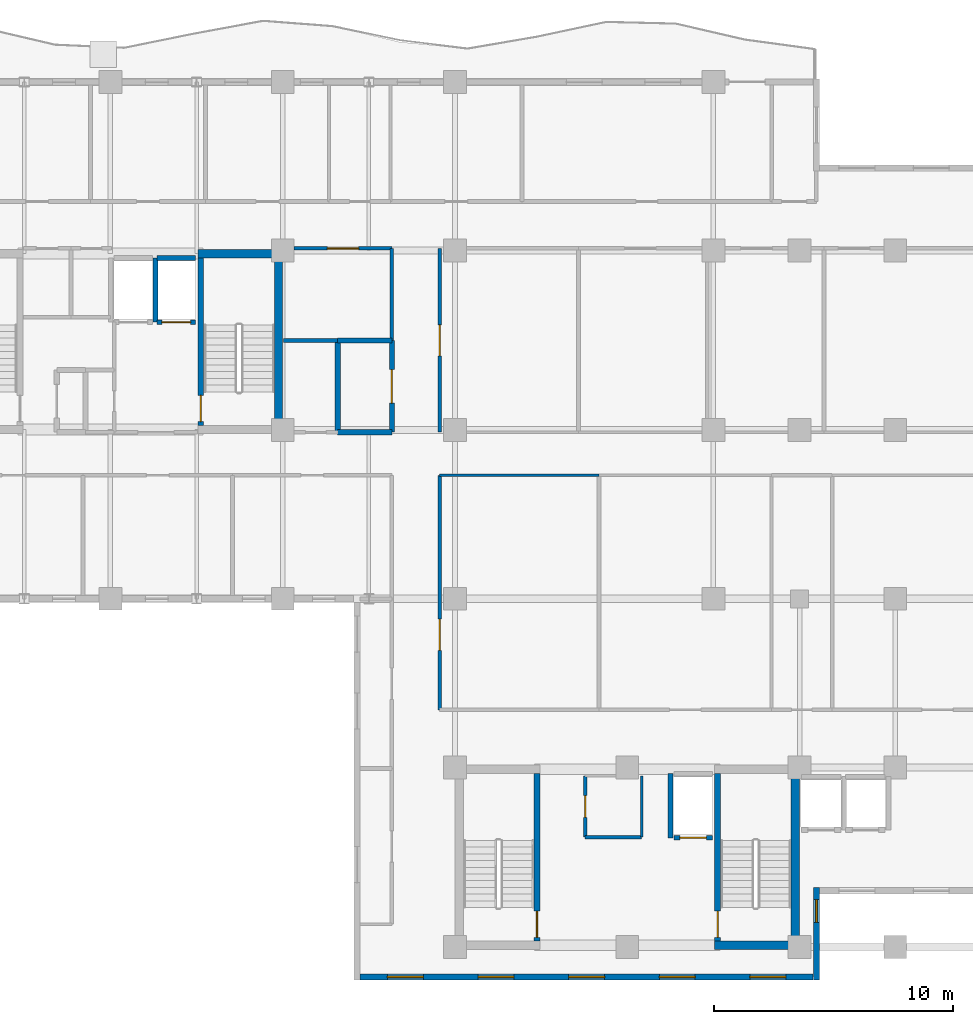
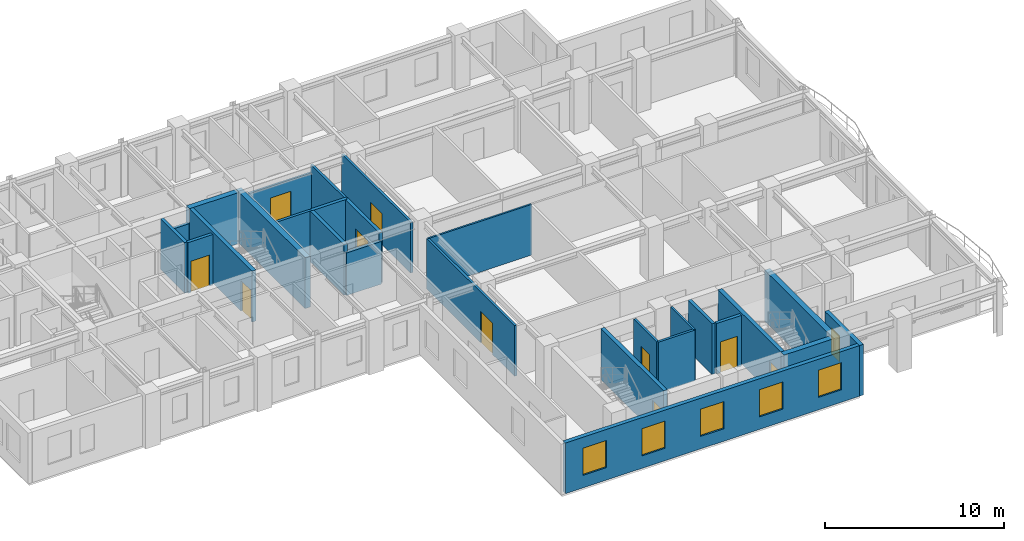
# One storey, part 7 of 13: 27 walls, 10 doors, 6 windows, 16 openings.
"""IFC4 building model written with IfcOpenShell, lengths in metres."""

from ifc_helpers import new_model, si_unit, direction, frame, frame_2d, origin, place, context, subcontext, project, spatial, rectangle, extrude, material, layer, layer_set, type_object, element, fill, save


model = new_model("IFC4")

# Units and contexts
model_context = context("Model", 3, precision=1e-05, world=origin(), true_north=direction((0.0, 1.0)))
body_context = subcontext(model_context, "Body", "Model", "MODEL_VIEW")
ifc_project = project(units=[si_unit("LENGTHUNIT", "METRE"), si_unit("AREAUNIT", "SQUARE_METRE"), si_unit("VOLUMEUNIT", "CUBIC_METRE"), si_unit("PLANEANGLEUNIT", "RADIAN"), si_unit("MASSUNIT", "GRAM", prefix="KILO")], contexts=[model_context])

# Site, building, storey
site_placement = place(None, origin())
site = spatial("IfcSite", under=ifc_project, at=site_placement, CompositionType="ELEMENT")
building_placement = place(site_placement, origin())
building = spatial("IfcBuilding", under=site, at=building_placement, Name="Kaliganga Portal Commons", CompositionType="ELEMENT")
storey_placement = place(building_placement, frame((0.0, 0.0, 224.0)))
storey = spatial("IfcBuildingStorey", under=building, at=storey_placement, Name="L57", CompositionType="ELEMENT", Elevation=224.0)

# Walls
ifc_material_1 = material(Name="Concrete C50/60", Category="concrete")
ifc_layer_1 = layer(ifc_material_1, 0.35009765625)
ifc_layer_set_1 = layer_set([ifc_layer_1], Name="Concrete C50/60")
wall_type_1 = type_object("IfcWallType", Name="WL-CORE-350", PredefinedType="SHEAR", material=ifc_layer_set_1)
wall_1_placement = place(storey_placement, frame((28.625, 28.5, 0.0), z_axis=(0.0, 0.0, 1.0), x_axis=(0.0, 1.0, 0.0)))
element("IfcWall", 1, at=wall_1_placement, inside=storey, type_object=wall_type_1, Name="Core A East Shear Wall L57", PredefinedType="SHEAR", context=body_context, shape_type="SweptSolid", body=[
    extrude(rectangle(XDim=7.699951171875, YDim=0.35009765625, at=frame_2d((3.85009765625, 0.0))), origin(), (0.0, 0.0, 1.0), 3.469970703125),
])
wall_2_placement = place(storey_placement, frame((25.25, 36.02490234375, 0.0), z_axis=(0.0, 0.0, 1.0), x_axis=(1.0, 0.0, 0.0)))
element("IfcWall", 2, at=wall_2_placement, inside=storey, type_object=wall_type_1, Name="Core A N-East Shear Wall L57", PredefinedType="SHEAR", context=body_context, shape_type="SweptSolid", body=[
    extrude(rectangle(XDim=3.199951171875, YDim=0.35009765625, at=frame_2d((1.60009765625, 0.0))), origin(), (0.0, 0.0, 1.0), 3.469970703125),
])
wall_3_placement = place(storey_placement, frame((50.22509765625, 6.949951171875, 0.0), z_axis=(0.0, 0.0, 1.0), x_axis=(0.0, 1.0, 0.0)))
element("IfcWall", 3, at=wall_3_placement, inside=storey, type_object=wall_type_1, Name="Core B East Shear Wall L57", PredefinedType="SHEAR", context=body_context, shape_type="SweptSolid", body=[
    extrude(rectangle(XDim=7.699951171875, YDim=0.35009765625, at=frame_2d((3.85009765625, 0.0))), origin(), (0.0, 0.0, 1.0), 3.469970703125),
])
wall_4_placement = place(storey_placement, frame((46.85009765625, 7.125, 0.0), z_axis=(0.0, 0.0, 1.0), x_axis=(1.0, 0.0, 0.0)))
element("IfcWall", 4, at=wall_4_placement, inside=storey, type_object=wall_type_1, Name="Core B S-East Shear Wall L57", PredefinedType="SHEAR", context=body_context, shape_type="SweptSolid", body=[
    extrude(rectangle(XDim=3.199951171875, YDim=0.35009765625, at=frame_2d((1.60009765625, 0.0))), origin(), (0.0, 0.0, 1.0), 3.469970703125),
])

# Wall, openings, windows
ifc_material_2 = material(Name="Insulated Aluminium-Clad Spandrel Assembly", Category="aluminium")
ifc_layer_2 = layer(ifc_material_2, 0.260009765625)
ifc_layer_set_2 = layer_set([ifc_layer_2], Name="Insulated Aluminium-Clad Spandrel Assembly")
wall_type_2 = type_object("IfcWallType", Name="WL-EXT-SPAND-260", PredefinedType="STANDARD", material=ifc_layer_set_2)
wall_5_placement = place(storey_placement, frame((50.965087890625, 5.800048828125, 0.0), z_axis=(0.0, 0.0, 1.0), x_axis=(-1.0, 0.0, 0.0)))
wall_5 = element("IfcWall", 5, at=wall_5_placement, inside=storey, type_object=wall_type_2, Name="Exterior Envelope Wall L57 P1-E00-S1", PredefinedType="STANDARD", context=body_context, shape_type="SweptSolid", body=[
    extrude(rectangle(XDim=18.93017578125, YDim=0.260009765625, at=frame_2d((9.465087890625, 0.0))), origin(), (0.0, 0.0, 1.0), 3.449951171875),
])
opening_1_placement = place(wall_5_placement, frame((1.14306640625, 0.0, 0.85009765625)))
opening_1 = element("IfcOpeningElement", 6, at=opening_1_placement, cuts=wall_5, Name="Opening W-02", PredefinedType="OPENING", context=body_context, shape_type="SweptSolid", body=[
    extrude(rectangle(XDim=1.5, YDim=1.85009765625, at=frame_2d((0.75, 0.925048828125))), frame((0.0, 0.14013671875, 0.0), z_axis=(0.0, -1.0, 0.0), x_axis=(1.0, 0.0, 0.0)), (0.0, 0.0, 1.0), 0.280029296875),
])
opening_2_placement = place(wall_5_placement, frame((4.928955078125, 0.0, 0.85009765625)))
opening_2 = element("IfcOpeningElement", 7, at=opening_2_placement, cuts=wall_5, Name="Opening W-02", PredefinedType="OPENING", context=body_context, shape_type="SweptSolid", body=[
    extrude(rectangle(XDim=1.5, YDim=1.85009765625, at=frame_2d((0.75, 0.925048828125))), frame((0.0, 0.14013671875, 0.0), z_axis=(0.0, -1.0, 0.0), x_axis=(1.0, 0.0, 0.0)), (0.0, 0.0, 1.0), 0.280029296875),
])
opening_3_placement = place(wall_5_placement, frame((8.715087890625, 0.0, 0.85009765625)))
opening_3 = element("IfcOpeningElement", 8, at=opening_3_placement, cuts=wall_5, Name="Opening W-02", PredefinedType="OPENING", context=body_context, shape_type="SweptSolid", body=[
    extrude(rectangle(XDim=1.5, YDim=1.85009765625, at=frame_2d((0.75, 0.925048828125))), frame((0.0, 0.14013671875, 0.0), z_axis=(0.0, -1.0, 0.0), x_axis=(1.0, 0.0, 0.0)), (0.0, 0.0, 1.0), 0.280029296875),
])
opening_4_placement = place(wall_5_placement, frame((12.5009765625, 0.0, 0.85009765625)))
opening_4 = element("IfcOpeningElement", 9, at=opening_4_placement, cuts=wall_5, Name="Opening W-02", PredefinedType="OPENING", context=body_context, shape_type="SweptSolid", body=[
    extrude(rectangle(XDim=1.5, YDim=1.85009765625, at=frame_2d((0.75, 0.925048828125))), frame((0.0, 0.14013671875, 0.0), z_axis=(0.0, -1.0, 0.0), x_axis=(1.0, 0.0, 0.0)), (0.0, 0.0, 1.0), 0.280029296875),
])
opening_5_placement = place(wall_5_placement, frame((16.287109375, 0.0, 0.85009765625)))
opening_5 = element("IfcOpeningElement", 10, at=opening_5_placement, cuts=wall_5, Name="Opening W-02", PredefinedType="OPENING", context=body_context, shape_type="SweptSolid", body=[
    extrude(rectangle(XDim=1.5, YDim=1.85009765625, at=frame_2d((0.75, 0.925048828125))), frame((0.0, 0.14013671875, 0.0), z_axis=(0.0, -1.0, 0.0), x_axis=(1.0, 0.0, 0.0)), (0.0, 0.0, 1.0), 0.280029296875),
])
ifc_material_3 = material(Name="Thermally Broken Aluminium and Low-E Double Glazing", Category="aluminium")
window_type_1 = type_object("IfcWindowType", Name="WIN-STD-1500", PartitioningType="DOUBLE_PANEL_VERTICAL", PredefinedType="WINDOW", material=ifc_material_3)
window_1_placement = place(opening_1_placement, origin())
window_1 = element("IfcWindow", 11, at=window_1_placement, inside=storey, type_object=window_type_1, Name="Facade Window L57-P1E00S1-00", OverallHeight=1.85009765625, OverallWidth=1.5, PartitioningType="SINGLE_PANEL", PredefinedType="WINDOW", context=body_context, shape_type="SweptSolid", body=[
    extrude(rectangle(XDim=1.5, YDim=1.85009765625, at=frame_2d((0.75, 0.925048828125))), frame((0.0, 0.030029296875, 0.0), z_axis=(0.0, -1.0, 0.0), x_axis=(1.0, 0.0, 0.0)), (0.0, 0.0, 1.0), 0.06005859375),
])
fill(opening_1, window_1)
window_2_placement = place(opening_2_placement, origin())
window_2 = element("IfcWindow", 12, at=window_2_placement, inside=storey, type_object=window_type_1, Name="Facade Window L57-P1E00S1-01", OverallHeight=1.85009765625, OverallWidth=1.5, PartitioningType="SINGLE_PANEL", PredefinedType="WINDOW", context=body_context, shape_type="SweptSolid", body=[
    extrude(rectangle(XDim=1.5, YDim=1.85009765625, at=frame_2d((0.75, 0.925048828125))), frame((0.0, 0.030029296875, 0.0), z_axis=(0.0, -1.0, 0.0), x_axis=(1.0, 0.0, 0.0)), (0.0, 0.0, 1.0), 0.06005859375),
])
fill(opening_2, window_2)
window_3_placement = place(opening_3_placement, origin())
window_3 = element("IfcWindow", 13, at=window_3_placement, inside=storey, type_object=window_type_1, Name="Facade Window L57-P1E00S1-02", OverallHeight=1.85009765625, OverallWidth=1.5, PartitioningType="SINGLE_PANEL", PredefinedType="WINDOW", context=body_context, shape_type="SweptSolid", body=[
    extrude(rectangle(XDim=1.5, YDim=1.85009765625, at=frame_2d((0.75, 0.925048828125))), frame((0.0, 0.030029296875, 0.0), z_axis=(0.0, -1.0, 0.0), x_axis=(1.0, 0.0, 0.0)), (0.0, 0.0, 1.0), 0.06005859375),
])
fill(opening_3, window_3)
window_4_placement = place(opening_4_placement, origin())
window_4 = element("IfcWindow", 14, at=window_4_placement, inside=storey, type_object=window_type_1, Name="Facade Window L57-P1E00S1-03", OverallHeight=1.85009765625, OverallWidth=1.5, PartitioningType="SINGLE_PANEL", PredefinedType="WINDOW", context=body_context, shape_type="SweptSolid", body=[
    extrude(rectangle(XDim=1.5, YDim=1.85009765625, at=frame_2d((0.75, 0.925048828125))), frame((0.0, 0.030029296875, 0.0), z_axis=(0.0, -1.0, 0.0), x_axis=(1.0, 0.0, 0.0)), (0.0, 0.0, 1.0), 0.06005859375),
])
fill(opening_4, window_4)
window_5_placement = place(opening_5_placement, origin())
window_5 = element("IfcWindow", 15, at=window_5_placement, inside=storey, type_object=window_type_1, Name="Facade Window L57-P1E00S1-04", OverallHeight=1.85009765625, OverallWidth=1.5, PartitioningType="SINGLE_PANEL", PredefinedType="WINDOW", context=body_context, shape_type="SweptSolid", body=[
    extrude(rectangle(XDim=1.5, YDim=1.85009765625, at=frame_2d((0.75, 0.925048828125))), frame((0.0, 0.030029296875, 0.0), z_axis=(0.0, -1.0, 0.0), x_axis=(1.0, 0.0, 0.0)), (0.0, 0.0, 1.0), 0.06005859375),
])
fill(opening_5, window_5)

# Wall, opening, window
wall_6_placement = place(storey_placement, frame((51.10009765625, 9.530029296875, 0.0), z_axis=(0.0, 0.0, 1.0), x_axis=(0.0, -1.0, 0.0)))
wall_6 = element("IfcWall", 16, at=wall_6_placement, inside=storey, type_object=wall_type_2, Name="Exterior Envelope Wall L57 P1-E01-S1", PredefinedType="STANDARD", context=body_context, shape_type="SweptSolid", body=[
    extrude(rectangle(XDim=3.860107421875, YDim=0.260009765625, at=frame_2d((1.93017578125, 0.0))), origin(), (0.0, 0.0, 1.0), 3.449951171875),
])
opening_6_placement = place(wall_6_placement, frame((0.497802734375, 0.0, 0.85009765625)))
opening_6 = element("IfcOpeningElement", 17, at=opening_6_placement, cuts=wall_6, Name="Opening W-04", PredefinedType="OPENING", context=body_context, shape_type="SweptSolid", body=[
    extrude(rectangle(XDim=0.949951171875, YDim=1.75, at=frame_2d((0.47509765625, 0.875))), frame((0.0, 0.14013671875, 0.0), z_axis=(0.0, -1.0, 0.0), x_axis=(1.0, 0.0, 0.0)), (0.0, 0.0, 1.0), 0.280029296875),
])
window_type_2 = type_object("IfcWindowType", Name="WIN-NARROW-950", PartitioningType="SINGLE_PANEL", PredefinedType="WINDOW", material=ifc_material_3)
window_6_placement = place(opening_6_placement, origin())
window_6 = element("IfcWindow", 18, at=window_6_placement, inside=storey, type_object=window_type_2, Name="Facade Window L57-P1E01S1-N1", OverallHeight=1.75, OverallWidth=0.949951171875, PartitioningType="SINGLE_PANEL", PredefinedType="WINDOW", context=body_context, shape_type="SweptSolid", body=[
    extrude(rectangle(XDim=0.949951171875, YDim=1.75, at=frame_2d((0.47509765625, 0.875))), frame((0.0, 0.030029296875, 0.0), z_axis=(0.0, -1.0, 0.0), x_axis=(1.0, 0.0, 0.0)), (0.0, 0.0, 1.0), 0.06005859375),
])
fill(opening_6, window_6)

# Wall, opening, door
ifc_material_4 = material(Name="Fire-Rated Gypsum Board on Steel Stud", Category="steel")
ifc_layer_3 = layer(ifc_material_4, 0.14990234375)
ifc_layer_set_3 = layer_set([ifc_layer_3], Name="Fire-Rated Gypsum Board on Steel Stud")
wall_type_3 = type_object("IfcWallType", Name="WL-PART-CORR-150", PredefinedType="PARTITIONING", material=ifc_layer_set_3)
wall_7_placement = place(storey_placement, frame((35.360107421875, 16.9599609375, 0.0), z_axis=(0.0, 0.0, 1.0), x_axis=(0.0, 1.0, 0.0)))
wall_7 = element("IfcWall", 19, at=wall_7_placement, inside=storey, type_object=wall_type_3, Name="Interior Partition L57-002", PredefinedType="PARTITIONING", context=body_context, shape_type="SweptSolid", body=[
    extrude(rectangle(XDim=9.800048828125, YDim=0.14990234375, at=frame_2d((4.89990234375, 0.0))), origin(), (0.0, 0.0, 1.0), 3.449951171875),
])
opening_7_placement = place(wall_7_placement, frame((2.486083984375, 0.0, 0.0)))
opening_7 = element("IfcOpeningElement", 20, at=opening_7_placement, cuts=wall_7, Name="Opening RD-03", PredefinedType="OPENING", context=body_context, shape_type="SweptSolid", body=[
    extrude(rectangle(XDim=1.300048828125, YDim=2.1201171875, at=frame_2d((0.64990234375, 1.06005859375))), frame((0.0, 0.0849609375, 0.0), z_axis=(0.0, -1.0, 0.0), x_axis=(1.0, 0.0, 0.0)), (0.0, 0.0, 1.0), 0.169921875),
])
ifc_material_5 = material(Name="Glazed Timber Seminar Vision Door", Category="wood")
door_type_1 = type_object("IfcDoorType", Name="DR-STUDY-1300", OperationType="DOUBLE_DOOR_SINGLE_SWING", PredefinedType="DOOR", material=ifc_material_5)
door_1_placement = place(opening_7_placement, origin())
door_1 = element("IfcDoor", 21, at=door_1_placement, inside=storey, type_object=door_type_1, Name="Interior Door L57-BM01", OperationType="DOUBLE_DOOR_SINGLE_SWING", OverallHeight=2.1201171875, OverallWidth=1.300048828125, PredefinedType="DOOR", context=body_context, shape_type="SweptSolid", body=[
    extrude(rectangle(XDim=1.300048828125, YDim=2.1201171875, at=frame_2d((0.64990234375, 1.06005859375))), frame((0.0, 0.02490234375, 0.0), z_axis=(0.0, -1.0, 0.0), x_axis=(1.0, 0.0, 0.0)), (0.0, 0.0, 1.0), 0.050048828125),
])
fill(opening_7, door_1)

wall_8_placement = place(storey_placement, frame((35.360107421875, 28.56005859375, 0.0), z_axis=(0.0, 0.0, 1.0), x_axis=(0.0, 1.0, 0.0)))
wall_8 = element("IfcWall", 22, at=wall_8_placement, inside=storey, type_object=wall_type_3, Name="Interior Partition L57-006", PredefinedType="PARTITIONING", context=body_context, shape_type="SweptSolid", body=[
    extrude(rectangle(XDim=7.679931640625, YDim=0.14990234375, at=frame_2d((3.83984375, 0.0))), origin(), (0.0, 0.0, 1.0), 3.449951171875),
])
opening_8_placement = place(wall_8_placement, frame((3.18994140625, 0.0, 0.0)))
opening_8 = element("IfcOpeningElement", 23, at=opening_8_placement, cuts=wall_8, Name="Opening RD-03", PredefinedType="OPENING", context=body_context, shape_type="SweptSolid", body=[
    extrude(rectangle(XDim=1.300048828125, YDim=2.1201171875, at=frame_2d((0.64990234375, 1.06005859375))), frame((0.0, 0.0849609375, 0.0), z_axis=(0.0, -1.0, 0.0), x_axis=(1.0, 0.0, 0.0)), (0.0, 0.0, 1.0), 0.169921875),
])
door_2_placement = place(opening_8_placement, origin())
door_2 = element("IfcDoor", 24, at=door_2_placement, inside=storey, type_object=door_type_1, Name="Interior Door L57-BK01", OperationType="DOUBLE_DOOR_SINGLE_SWING", OverallHeight=2.1201171875, OverallWidth=1.300048828125, PredefinedType="DOOR", context=body_context, shape_type="SweptSolid", body=[
    extrude(rectangle(XDim=1.300048828125, YDim=2.1201171875, at=frame_2d((0.64990234375, 1.06005859375))), frame((0.0, 0.02490234375, 0.0), z_axis=(0.0, -1.0, 0.0), x_axis=(1.0, 0.0, 0.0)), (0.0, 0.0, 1.0), 0.050048828125),
])
fill(opening_8, door_2)

wall_9_placement = place(storey_placement, frame((29.27490234375, 36.239990234375, 0.0), z_axis=(0.0, 0.0, 1.0), x_axis=(1.0, 0.0, 0.0)))
wall_9 = element("IfcWall", 25, at=wall_9_placement, inside=storey, type_object=wall_type_3, Name="Interior Partition L57-023", PredefinedType="PARTITIONING", context=body_context, shape_type="SweptSolid", body=[
    extrude(rectangle(XDim=4.085205078125, YDim=0.14990234375, at=frame_2d((2.04248046875, 0.0))), origin(), (0.0, 0.0, 1.0), 2.89990234375),
])
opening_9_placement = place(wall_9_placement, frame((1.392578125, 0.0, 0.0)))
opening_9 = element("IfcOpeningElement", 26, at=opening_9_placement, cuts=wall_9, Name="Opening RD-03", PredefinedType="OPENING", context=body_context, shape_type="SweptSolid", body=[
    extrude(rectangle(XDim=1.300048828125, YDim=2.1201171875, at=frame_2d((0.64990234375, 1.06005859375))), frame((0.0, 0.0849609375, 0.0), z_axis=(0.0, -1.0, 0.0), x_axis=(1.0, 0.0, 0.0)), (0.0, 0.0, 1.0), 0.169921875),
])
door_3_placement = place(opening_9_placement, origin())
door_3 = element("IfcDoor", 27, at=door_3_placement, inside=storey, type_object=door_type_1, Name="Interior Door L57-CSRV_A2", OperationType="DOUBLE_DOOR_SINGLE_SWING", OverallHeight=2.1201171875, OverallWidth=1.300048828125, PredefinedType="DOOR", context=body_context, shape_type="SweptSolid", body=[
    extrude(rectangle(XDim=1.300048828125, YDim=2.1201171875, at=frame_2d((0.64990234375, 1.06005859375))), frame((0.0, 0.02490234375, 0.0), z_axis=(0.0, -1.0, 0.0), x_axis=(1.0, 0.0, 0.0)), (0.0, 0.0, 1.0), 0.050048828125),
])
fill(opening_9, door_3)

# Wall
wall_10_placement = place(storey_placement, frame((33.360107421875, 32.39990234375, 0.0), z_axis=(0.0, 0.0, 1.0), x_axis=(0.0, 1.0, 0.0)))
element("IfcWall", 28, at=wall_10_placement, inside=storey, type_object=wall_type_3, Name="Interior Partition L57-025", PredefinedType="PARTITIONING", context=body_context, shape_type="SweptSolid", body=[
    extrude(rectangle(XDim=3.840087890625, YDim=0.14990234375, at=frame_2d((1.919921875, 0.0))), origin(), (0.0, 0.0, 1.0), 3.449951171875),
])

# Wall, opening, door
wall_11_placement = place(storey_placement, frame((41.43994140625, 11.639892578125, 0.0), z_axis=(0.0, 0.0, 1.0), x_axis=(0.0, 1.0, 0.0)))
wall_11 = element("IfcWall", 29, at=wall_11_placement, inside=storey, type_object=wall_type_3, Name="Interior Partition L57-030", PredefinedType="PARTITIONING", context=body_context, shape_type="SweptSolid", body=[
    extrude(rectangle(XDim=2.56005859375, YDim=0.14990234375, at=frame_2d((1.280029296875, 0.0))), origin(), (0.0, 0.0, 1.0), 3.449951171875),
])
opening_10_placement = place(wall_11_placement, frame((0.830078125, 0.0, 0.0)))
opening_10 = element("IfcOpeningElement", 30, at=opening_10_placement, cuts=wall_11, Name="Opening RD-01", PredefinedType="OPENING", context=body_context, shape_type="SweptSolid", body=[
    extrude(rectangle(XDim=0.89990234375, YDim=2.080078125, at=frame_2d((0.449951171875, 1.0400390625))), frame((0.0, 0.0849609375, 0.0), z_axis=(0.0, -1.0, 0.0), x_axis=(1.0, 0.0, 0.0)), (0.0, 0.0, 1.0), 0.169921875),
])
ifc_material_6 = material(Name="Engineered Timber Flush Door", Category="wood")
door_type_2 = type_object("IfcDoorType", Name="DR-ROOM-900", OperationType="NOTDEFINED", PredefinedType="DOOR", material=ifc_material_6)
door_4_placement = place(opening_10_placement, origin())
door_4 = element("IfcDoor", 31, at=door_4_placement, inside=storey, type_object=door_type_2, Name="Interior Door L57-CREC_B1", OperationType="SINGLE_SWING_LEFT", OverallHeight=2.080078125, OverallWidth=0.89990234375, PredefinedType="DOOR", context=body_context, shape_type="SweptSolid", body=[
    extrude(rectangle(XDim=0.89990234375, YDim=2.080078125, at=frame_2d((0.449951171875, 1.0400390625))), frame((0.0, 0.02490234375, 0.0), z_axis=(0.0, -1.0, 0.0), x_axis=(1.0, 0.0, 0.0)), (0.0, 0.0, 1.0), 0.050048828125),
])
fill(opening_10, door_4)

# Wall
wall_12_placement = place(storey_placement, frame((41.43994140625, 11.639892578125, 0.0), z_axis=(0.0, 0.0, 1.0), x_axis=(1.0, 0.0, 0.0)))
element("IfcWall", 32, at=wall_12_placement, inside=storey, type_object=wall_type_3, Name="Interior Partition L57-033", PredefinedType="PARTITIONING", context=body_context, shape_type="SweptSolid", body=[
    extrude(rectangle(XDim=2.360107421875, YDim=0.14990234375, at=frame_2d((1.18017578125, 0.0))), origin(), (0.0, 0.0, 1.0), 3.449951171875),
])

# Wall, opening, door
ifc_material_7 = material(Name="Lightweight blockwork masonry", Category="masonry")
ifc_layer_4 = layer(ifc_material_7, 0.215087890625)
ifc_layer_set_4 = layer_set([ifc_layer_4], Name="Lightweight blockwork masonry")
wall_type_4 = type_object("IfcWallType", Name="WL-PART-PLANT-215", PredefinedType="PARTITIONING", material=ifc_layer_set_4)
wall_13_placement = place(storey_placement, frame((33.360107421875, 28.56005859375, 0.0), z_axis=(0.0, 0.0, 1.0), x_axis=(0.0, 1.0, 0.0)))
wall_13 = element("IfcWall", 33, at=wall_13_placement, inside=storey, type_object=wall_type_4, Name="Interior Partition L57-026", PredefinedType="PARTITIONING", context=body_context, shape_type="SweptSolid", body=[
    extrude(rectangle(XDim=3.83984375, YDim=0.215087890625, at=frame_2d((1.919921875, 0.0))), origin(), (0.0, 0.0, 1.0), 3.449951171875),
])
opening_11_placement = place(wall_13_placement, frame((1.219970703125, 0.0, 0.0)))
opening_11 = element("IfcOpeningElement", 34, at=opening_11_placement, cuts=wall_13, Name="Opening PD-01", PredefinedType="OPENING", context=body_context, shape_type="SweptSolid", body=[
    extrude(rectangle(XDim=1.39990234375, YDim=2.14990234375, at=frame_2d((0.699951171875, 1.074951171875))), frame((0.0, 0.11767578125, 0.0), z_axis=(0.0, -1.0, 0.0), x_axis=(1.0, 0.0, 0.0)), (0.0, 0.0, 1.0), 0.235107421875),
])
ifc_material_8 = material(Name="Heavy-Duty Steel Acoustic Louvre Fire Door", Category="steel")
door_type_3 = type_object("IfcDoorType", Name="DR-PLANT-1400", OperationType="DOUBLE_DOOR_SINGLE_SWING", PredefinedType="DOOR", material=ifc_material_8)
door_5_placement = place(opening_11_placement, origin())
door_5 = element("IfcDoor", 35, at=door_5_placement, inside=storey, type_object=door_type_3, Name="Interior Door L57-CSRV_A3", OperationType="DOUBLE_DOOR_SINGLE_SWING", OverallHeight=2.14990234375, OverallWidth=1.39990234375, PredefinedType="DOOR", context=body_context, shape_type="SweptSolid", body=[
    extrude(rectangle(XDim=1.39990234375, YDim=2.14990234375, at=frame_2d((0.699951171875, 1.074951171875))), frame((0.0, 0.02490234375, 0.0), z_axis=(0.0, -1.0, 0.0), x_axis=(1.0, 0.0, 0.0)), (0.0, 0.0, 1.0), 0.050048828125),
])
fill(opening_11, door_5)

# Walls
wall_14_placement = place(storey_placement, frame((31.10009765625, 28.56005859375, 0.0), z_axis=(0.0, 0.0, 1.0), x_axis=(1.0, 0.0, 0.0)))
element("IfcWall", 36, at=wall_14_placement, inside=storey, type_object=wall_type_4, Name="Interior Partition L57-035", PredefinedType="PARTITIONING", context=body_context, shape_type="SweptSolid", body=[
    extrude(rectangle(XDim=2.260009765625, YDim=0.215087890625, at=frame_2d((1.1298828125, 0.0))), origin(), (0.0, 0.0, 1.0), 2.89990234375),
])
wall_15_placement = place(storey_placement, frame((31.10009765625, 28.56005859375, 0.0), z_axis=(0.0, 0.0, 1.0), x_axis=(0.0, 1.0, 0.0)))
element("IfcWall", 37, at=wall_15_placement, inside=storey, type_object=wall_type_4, Name="Interior Partition L57-072", PredefinedType="PARTITIONING", context=body_context, shape_type="SweptSolid", body=[
    extrude(rectangle(XDim=3.83984375, YDim=0.215087890625, at=frame_2d((1.919921875, 0.0))), origin(), (0.0, 0.0, 1.0), 3.449951171875),
])
wall_16_placement = place(storey_placement, frame((31.10009765625, 32.39990234375, 0.0), z_axis=(0.0, 0.0, 1.0), x_axis=(1.0, 0.0, 0.0)))
element("IfcWall", 38, at=wall_16_placement, inside=storey, type_object=wall_type_4, Name="Interior Partition L57-080", PredefinedType="PARTITIONING", context=body_context, shape_type="SweptSolid", body=[
    extrude(rectangle(XDim=2.260009765625, YDim=0.215087890625, at=frame_2d((1.1298828125, 0.0))), origin(), (0.0, 0.0, 1.0), 3.449951171875),
])
ifc_material_9 = material(Name="Moisture-Resistant Gypsum Partition", Category="gypsum")
ifc_layer_5 = layer(ifc_material_9, 0.114990234375)
ifc_layer_set_5 = layer_set([ifc_layer_5], Name="Moisture-Resistant Gypsum Partition")
wall_type_5 = type_object("IfcWallType", Name="WL-PART-ROOM-115", PredefinedType="PARTITIONING", material=ifc_layer_set_5)
wall_17_placement = place(storey_placement, frame((35.360107421875, 26.760009765625, 0.0), z_axis=(0.0, 0.0, 1.0), x_axis=(1.0, 0.0, 0.0)))
element("IfcWall", 39, at=wall_17_placement, inside=storey, type_object=wall_type_5, Name="Interior Partition L57-055", PredefinedType="PARTITIONING", context=body_context, shape_type="SweptSolid", body=[
    extrude(rectangle(XDim=6.659912109375, YDim=0.114990234375, at=frame_2d((3.330078125, 0.0))), origin(), (0.0, 0.0, 1.0), 3.449951171875),
])
wall_18_placement = place(storey_placement, frame((43.800048828125, 11.639892578125, 0.0), z_axis=(0.0, 0.0, 1.0), x_axis=(0.0, 1.0, 0.0)))
element("IfcWall", 40, at=wall_18_placement, inside=storey, type_object=wall_type_5, Name="Interior Partition L57-076", PredefinedType="PARTITIONING", context=body_context, shape_type="SweptSolid", body=[
    extrude(rectangle(XDim=2.56005859375, YDim=0.114990234375, at=frame_2d((1.280029296875, 0.0))), origin(), (0.0, 0.0, 1.0), 3.449951171875),
])
ifc_material_10 = material(Name="Twin-Stud Acoustic Gypsum Partition", Category="gypsum")
ifc_layer_6 = layer(ifc_material_10, 0.1650390625)
ifc_layer_set_6 = layer_set([ifc_layer_6], Name="Twin-Stud Acoustic Gypsum Partition")
wall_type_6 = type_object("IfcWallType", Name="WL-PART-UNIT-165", PredefinedType="PARTITIONING", material=ifc_layer_set_6)
wall_19_placement = place(storey_placement, frame((28.840087890625, 32.39990234375, 0.0), z_axis=(0.0, 0.0, 1.0), x_axis=(1.0, 0.0, 0.0)))
element("IfcWall", 41, at=wall_19_placement, inside=storey, type_object=wall_type_6, Name="Interior Partition L57-079", PredefinedType="PARTITIONING", context=body_context, shape_type="SweptSolid", body=[
    extrude(rectangle(XDim=2.260009765625, YDim=0.1650390625, at=frame_2d((1.1298828125, 0.0))), origin(), (0.0, 0.0, 1.0), 3.449951171875),
])
ifc_material_11 = material(Name="Fire-Rated Shaftwall Masonry Assembly", Category="masonry")
ifc_layer_7 = layer(ifc_material_11, 0.199951171875)
ifc_layer_set_7 = layer_set([ifc_layer_7], Name="Fire-Rated Shaftwall Masonry Assembly")
wall_type_7 = type_object("IfcWallType", Name="WL-SHAFT-200", PredefinedType="PARTITIONING", material=ifc_layer_set_7)
wall_20_placement = place(storey_placement, frame((23.489990234375, 33.159912109375, 0.0), z_axis=(0.0, 0.0, 1.0), x_axis=(0.0, 1.0, 0.0)))
element("IfcWall", 42, at=wall_20_placement, inside=storey, type_object=wall_type_7, Name="Lift FFL-1 Hoistway Shaft Wall L57-E", PredefinedType="PARTITIONING", context=body_context, shape_type="SweptSolid", body=[
    extrude(rectangle(XDim=2.68017578125, YDim=0.199951171875, at=frame_2d((1.340087890625, 0.0))), origin(), (0.0, 0.0, 1.0), 3.449951171875),
])

# Wall, opening, door
wall_21_placement = place(storey_placement, frame((23.550048828125, 33.159912109375, 0.0), z_axis=(0.0, 0.0, 1.0), x_axis=(1.0, 0.0, 0.0)))
wall_21 = element("IfcWall", 43, at=wall_21_placement, inside=storey, type_object=wall_type_7, Name="Lift FFL-2 Hoistway Shaft Wall L57-S", PredefinedType="PARTITIONING", context=body_context, shape_type="SweptSolid", body=[
    extrude(rectangle(XDim=1.599853515625, YDim=0.199951171875, at=frame_2d((0.7998046875, 0.0))), origin(), (0.0, 0.0, 1.0), 3.449951171875),
])
opening_12_placement = place(wall_21_placement, frame((0.199951171875, 0.0, 0.0)))
opening_12 = element("IfcOpeningElement", 44, at=opening_12_placement, cuts=wall_21, Name="Opening LD-02", PredefinedType="OPENING", context=body_context, shape_type="SweptSolid", body=[
    extrude(rectangle(XDim=1.199951171875, YDim=2.1201171875, at=frame_2d((0.60009765625, 1.06005859375))), frame((0.0, 0.10986328125, 0.0), z_axis=(0.0, -1.0, 0.0), x_axis=(1.0, 0.0, 0.0)), (0.0, 0.0, 1.0), 0.219970703125),
])
ifc_material_12 = material(Name="Brushed Stainless Steel 316 Stretcher Lift Landing Door", Category="steel")
door_type_4 = type_object("IfcDoorType", Name="DR-LIFT-1200", OperationType="SLIDING_TO_RIGHT", PredefinedType="DOOR", material=ifc_material_12)
door_6_placement = place(opening_12_placement, origin())
door_6 = element("IfcDoor", 45, at=door_6_placement, inside=storey, type_object=door_type_4, Name="Lift FFL-2 Sliding Landing Door L57", OperationType="SLIDING_TO_RIGHT", OverallHeight=2.1201171875, OverallWidth=1.199951171875, PredefinedType="DOOR", context=body_context, shape_type="SweptSolid", body=[
    extrude(rectangle(XDim=1.199951171875, YDim=2.1201171875, at=frame_2d((0.60009765625, 1.06005859375))), frame((0.0, 0.02490234375, 0.0), z_axis=(0.0, -1.0, 0.0), x_axis=(1.0, 0.0, 0.0)), (0.0, 0.0, 1.0), 0.050048828125),
])
fill(opening_12, door_6)

# Wall
wall_22_placement = place(storey_placement, frame((23.550048828125, 35.840087890625, 0.0), z_axis=(0.0, 0.0, 1.0), x_axis=(1.0, 0.0, 0.0)))
element("IfcWall", 46, at=wall_22_placement, inside=storey, type_object=wall_type_7, Name="Lift FFL-2 Hoistway Shaft Wall L57-N", PredefinedType="PARTITIONING", context=body_context, shape_type="SweptSolid", body=[
    extrude(rectangle(XDim=1.599853515625, YDim=0.199951171875, at=frame_2d((0.7998046875, 0.0))), origin(), (0.0, 0.0, 1.0), 2.550048828125),
])

# Wall, opening, door
wall_23_placement = place(storey_placement, frame((45.14990234375, 11.610107421875, 0.0), z_axis=(0.0, 0.0, 1.0), x_axis=(1.0, 0.0, 0.0)))
wall_23 = element("IfcWall", 47, at=wall_23_placement, inside=storey, type_object=wall_type_7, Name="Lift SL-B1 Hoistway Shaft Wall L57-S", PredefinedType="PARTITIONING", context=body_context, shape_type="SweptSolid", body=[
    extrude(rectangle(XDim=1.60009765625, YDim=0.199951171875, at=frame_2d((0.800048828125, 0.0))), origin(), (0.0, 0.0, 1.0), 3.449951171875),
])
opening_13_placement = place(wall_23_placement, frame((0.25, 0.0, 0.0)))
opening_13 = element("IfcOpeningElement", 48, at=opening_13_placement, cuts=wall_23, Name="Opening LD-01", PredefinedType="OPENING", context=body_context, shape_type="SweptSolid", body=[
    extrude(rectangle(XDim=1.10009765625, YDim=2.1201171875, at=frame_2d((0.550048828125, 1.06005859375))), frame((0.0, 0.10986328125, 0.0), z_axis=(0.0, -1.0, 0.0), x_axis=(1.0, 0.0, 0.0)), (0.0, 0.0, 1.0), 0.219970703125),
])
ifc_material_13 = material(Name="Brushed Stainless Steel 316 Lift Landing Door", Category="steel")
door_type_5 = type_object("IfcDoorType", Name="DR-LIFT-1100", OperationType="SLIDING_TO_LEFT", PredefinedType="DOOR", material=ifc_material_13)
door_7_placement = place(opening_13_placement, origin())
door_7 = element("IfcDoor", 49, at=door_7_placement, inside=storey, type_object=door_type_5, Name="Lift SL-B1 Sliding Landing Door L57", OperationType="SLIDING_TO_LEFT", OverallHeight=2.1201171875, OverallWidth=1.10009765625, PredefinedType="DOOR", context=body_context, shape_type="SweptSolid", body=[
    extrude(rectangle(XDim=1.10009765625, YDim=2.1201171875, at=frame_2d((0.550048828125, 1.06005859375))), frame((0.0, 0.02490234375, 0.0), z_axis=(0.0, -1.0, 0.0), x_axis=(1.0, 0.0, 0.0)), (0.0, 0.0, 1.0), 0.050048828125),
])
fill(opening_13, door_7)

# Wall
wall_24_placement = place(storey_placement, frame((45.010009765625, 11.610107421875, 0.0), z_axis=(0.0, 0.0, 1.0), x_axis=(0.0, 1.0, 0.0)))
element("IfcWall", 50, at=wall_24_placement, inside=storey, type_object=wall_type_7, Name="Lift SL-B1 Hoistway Shaft Wall L57-W", PredefinedType="PARTITIONING", context=body_context, shape_type="SweptSolid", body=[
    extrude(rectangle(XDim=2.679931640625, YDim=0.199951171875, at=frame_2d((1.33984375, 0.0))), origin(), (0.0, 0.0, 1.0), 3.449951171875),
])

# Wall, opening, door
ifc_layer_8 = layer(ifc_material_1, 0.25)
ifc_layer_set_8 = layer_set([ifc_layer_8], Name="Concrete C50/60")
wall_type_8 = type_object("IfcWallType", Name="WL-STAIR-250", PredefinedType="SHEAR", material=ifc_layer_set_8)
wall_25_placement = place(storey_placement, frame((25.375, 28.85009765625, 0.0), z_axis=(0.0, 0.0, 1.0), x_axis=(0.0, 1.0, 0.0)))
wall_25 = element("IfcWall", 51, at=wall_25_placement, inside=storey, type_object=wall_type_8, Name="Stair A2 Enclosure Shear Wall L57", PredefinedType="SHEAR", context=body_context, shape_type="SweptSolid", body=[
    extrude(rectangle(XDim=7.0, YDim=0.25, at=frame_2d((3.5, 0.0))), origin(), (0.0, 0.0, 1.0), 3.469970703125),
])
opening_14_placement = place(wall_25_placement, frame((0.14990234375, 0.0, 0.0)))
opening_14 = element("IfcOpeningElement", 52, at=opening_14_placement, cuts=wall_25, Name="Opening SD-01", PredefinedType="OPENING", context=body_context, shape_type="SweptSolid", body=[
    extrude(rectangle(XDim=1.10009765625, YDim=2.080078125, at=frame_2d((0.550048828125, 1.0400390625))), frame((0.0, 0.135009765625, 0.0), z_axis=(0.0, -1.0, 0.0), x_axis=(1.0, 0.0, 0.0)), (0.0, 0.0, 1.0), 0.27001953125),
])
ifc_material_14 = material(Name="Galvanized Steel Fire Door Leaf and Frame", Category="steel")
door_type_6 = type_object("IfcDoorType", Name="DR-STAIR-1100", OperationType="NOTDEFINED", PredefinedType="DOOR", material=ifc_material_14)
door_8_placement = place(opening_14_placement, origin())
door_8 = element("IfcDoor", 53, at=door_8_placement, inside=storey, type_object=door_type_6, Name="Protected Stair ST-A2 Fire Door L57", OperationType="SINGLE_SWING_RIGHT", OverallHeight=2.080078125, OverallWidth=1.10009765625, PredefinedType="DOOR", context=body_context, shape_type="SweptSolid", body=[
    extrude(rectangle(XDim=1.10009765625, YDim=2.080078125, at=frame_2d((0.550048828125, 1.0400390625))), frame((0.0, 0.02490234375, 0.0), z_axis=(0.0, -1.0, 0.0), x_axis=(1.0, 0.0, 0.0)), (0.0, 0.0, 1.0), 0.050048828125),
])
fill(opening_14, door_8)

wall_26_placement = place(storey_placement, frame((39.425048828125, 7.300048828125, 0.0), z_axis=(0.0, 0.0, 1.0), x_axis=(0.0, 1.0, 0.0)))
wall_26 = element("IfcWall", 54, at=wall_26_placement, inside=storey, type_object=wall_type_8, Name="Stair B1 Enclosure Shear Wall L57", PredefinedType="SHEAR", context=body_context, shape_type="SweptSolid", body=[
    extrude(rectangle(XDim=7.0, YDim=0.25, at=frame_2d((3.5, 0.0))), origin(), (0.0, 0.0, 1.0), 3.469970703125),
])
opening_15_placement = place(wall_26_placement, frame((0.14990234375, 0.0, 0.0)))
opening_15 = element("IfcOpeningElement", 55, at=opening_15_placement, cuts=wall_26, Name="Opening SD-01", PredefinedType="OPENING", context=body_context, shape_type="SweptSolid", body=[
    extrude(rectangle(XDim=1.10009765625, YDim=2.080078125, at=frame_2d((0.550048828125, 1.0400390625))), frame((0.0, 0.135009765625, 0.0), z_axis=(0.0, -1.0, 0.0), x_axis=(1.0, 0.0, 0.0)), (0.0, 0.0, 1.0), 0.27001953125),
])
door_9_placement = place(opening_15_placement, origin())
door_9 = element("IfcDoor", 56, at=door_9_placement, inside=storey, type_object=door_type_6, Name="Protected Stair ST-B1 Fire Door L57", OperationType="SINGLE_SWING_LEFT", OverallHeight=2.080078125, OverallWidth=1.10009765625, PredefinedType="DOOR", context=body_context, shape_type="SweptSolid", body=[
    extrude(rectangle(XDim=1.10009765625, YDim=2.080078125, at=frame_2d((0.550048828125, 1.0400390625))), frame((0.0, 0.02490234375, 0.0), z_axis=(0.0, -1.0, 0.0), x_axis=(1.0, 0.0, 0.0)), (0.0, 0.0, 1.0), 0.050048828125),
])
fill(opening_15, door_9)

wall_27_placement = place(storey_placement, frame((46.97509765625, 7.300048828125, 0.0), z_axis=(0.0, 0.0, 1.0), x_axis=(0.0, 1.0, 0.0)))
wall_27 = element("IfcWall", 57, at=wall_27_placement, inside=storey, type_object=wall_type_8, Name="Stair B2 Enclosure Shear Wall L57", PredefinedType="SHEAR", context=body_context, shape_type="SweptSolid", body=[
    extrude(rectangle(XDim=7.0, YDim=0.25, at=frame_2d((3.5, 0.0))), origin(), (0.0, 0.0, 1.0), 3.469970703125),
])
opening_16_placement = place(wall_27_placement, frame((0.14990234375, 0.0, 0.0)))
opening_16 = element("IfcOpeningElement", 58, at=opening_16_placement, cuts=wall_27, Name="Opening SD-01", PredefinedType="OPENING", context=body_context, shape_type="SweptSolid", body=[
    extrude(rectangle(XDim=1.10009765625, YDim=2.080078125, at=frame_2d((0.550048828125, 1.0400390625))), frame((0.0, 0.135009765625, 0.0), z_axis=(0.0, -1.0, 0.0), x_axis=(1.0, 0.0, 0.0)), (0.0, 0.0, 1.0), 0.27001953125),
])
door_10_placement = place(opening_16_placement, origin())
door_10 = element("IfcDoor", 59, at=door_10_placement, inside=storey, type_object=door_type_6, Name="Protected Stair ST-B2 Fire Door L57", OperationType="SINGLE_SWING_RIGHT", OverallHeight=2.080078125, OverallWidth=1.10009765625, PredefinedType="DOOR", context=body_context, shape_type="SweptSolid", body=[
    extrude(rectangle(XDim=1.10009765625, YDim=2.080078125, at=frame_2d((0.550048828125, 1.0400390625))), frame((0.0, 0.02490234375, 0.0), z_axis=(0.0, -1.0, 0.0), x_axis=(1.0, 0.0, 0.0)), (0.0, 0.0, 1.0), 0.050048828125),
])
fill(opening_16, door_10)

save(model, "model.ifc")
